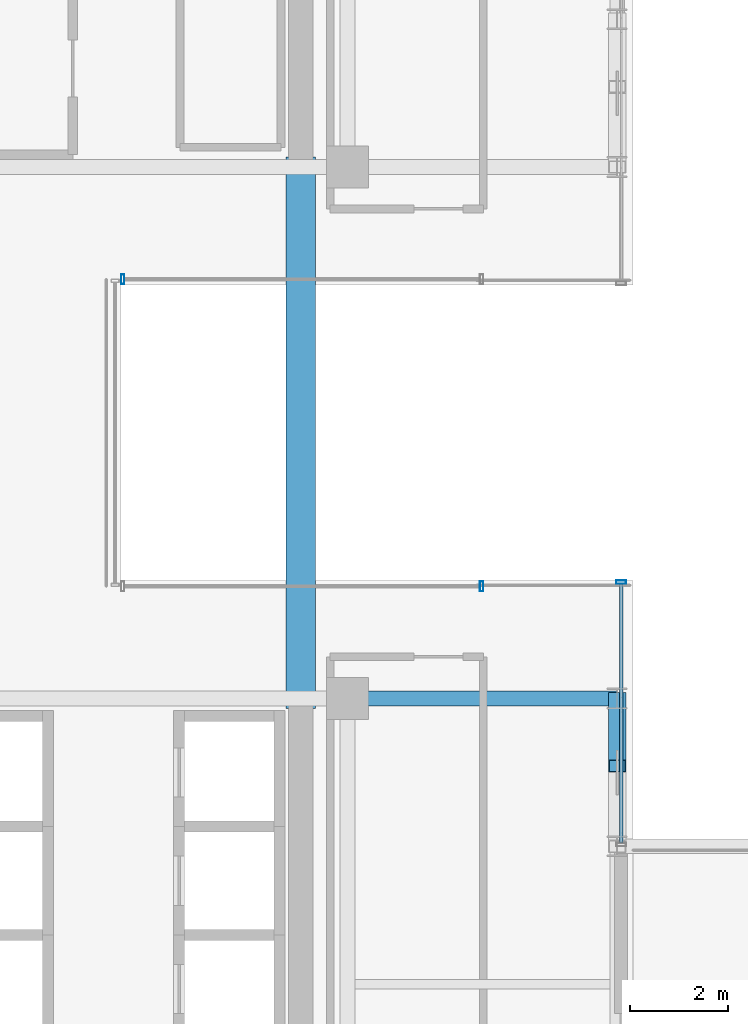
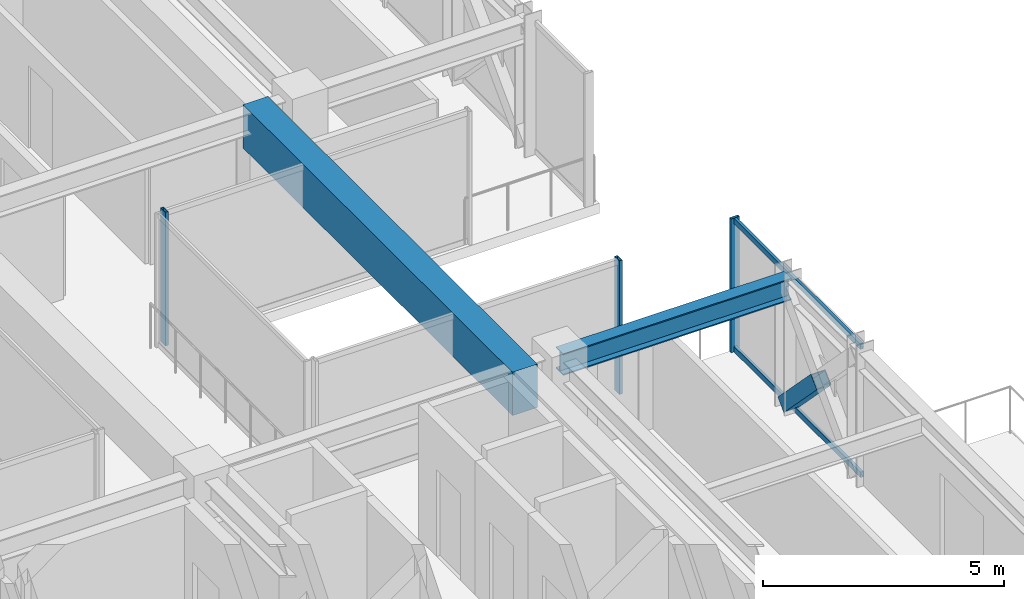
# One storey, part 17 of 41: 6 members, 2 beams, 3 elements without a shape of their own.
"""IFC4 building model written with IfcOpenShell, lengths in metres."""

from ifc_helpers import new_model, si_unit, direction, frame, origin, origin_2d, place, context, subcontext, project, spatial, rectangle, hollow_rectangle, i_section, extrude, source, transform, mapped, material, material_profile, profile_set, type_object, element, aggregate, save


model = new_model("IFC4")

# Units and contexts
model_context = context("Model", 3, precision=1e-05, world=origin(), true_north=direction((0.0, 1.0)))
body_context = subcontext(model_context, "Body", "Model", "MODEL_VIEW")
ifc_project = project(units=[si_unit("LENGTHUNIT", "METRE"), si_unit("AREAUNIT", "SQUARE_METRE"), si_unit("VOLUMEUNIT", "CUBIC_METRE"), si_unit("PLANEANGLEUNIT", "RADIAN"), si_unit("MASSUNIT", "GRAM", prefix="KILO")], contexts=[model_context])

# Site, building, storey
site_placement = place(None, origin())
site = spatial("IfcSite", under=ifc_project, at=site_placement, CompositionType="ELEMENT")
building_placement = place(site_placement, origin())
building = spatial("IfcBuilding", under=site, at=building_placement, Name="Nahalor Promenade Grand Hotel", CompositionType="ELEMENT")
storey_placement = place(building_placement, frame((0.0, 0.0, 159.949951171875)))
storey = spatial("IfcBuildingStorey", under=building, at=storey_placement, Name="L40", CompositionType="ELEMENT", Elevation=159.949951171875)

# Beams
ifc_material_1 = material(Name="Concrete B-60 (C50/60)", Category="concrete")
ifc_material_profile_1 = material_profile(ifc_material_1, rectangle(XDim=0.6, YDim=1.1, at=origin_2d()), Name="RC 600x1100")
ifc_profile_set_1 = profile_set([ifc_material_profile_1], Name="Concrete B-60 (C50/60)")
beam_type_1 = type_object("IfcBeamType", Name="Beam-Lintel-RC1100", PredefinedType="LINTEL", material=ifc_profile_set_1)
shared_shape_1 = source(origin(), body_context, "Body", "SweptSolid", [
    extrude(rectangle(XDim=0.6, YDim=1.1, at=origin_2d()), origin(), (0.0, 0.0, 1.0), 11.2001953125),
])
beam_1_placement = place(storey_placement, frame((16.050048828125, -5.60009765625, 2.840087890625), z_axis=(0.0, 1.0, 0.0), x_axis=(-1.0, 0.0, 0.0)))
element("IfcBeam", 1, at=beam_1_placement, inside=storey, type_object=beam_type_1, Name="BM-L40-LINT-E", PredefinedType="LINTEL", context=body_context, shape_type="MappedRepresentation", body=[
    mapped(shared_shape_1, transform((0.0, 0.0, 0.0), scale=1.0)),
])
ifc_material_2 = material(Name="Steel S355JR", Category="steel")
ifc_material_profile_2 = material_profile(ifc_material_2, i_section(OverallWidth=0.3, OverallDepth=0.55, WebThickness=0.015, FlangeThickness=0.029, at=origin_2d()), Name="HEB 550")
ifc_profile_set_2 = profile_set([ifc_material_profile_2], Name="Steel S355JR")
beam_type_2 = type_object("IfcBeamType", Name="Beam-Girder-HEB550", PredefinedType="BEAM", material=ifc_profile_set_2)
shared_shape_2 = source(origin(), body_context, "Body", "SweptSolid", [
    extrude(i_section(OverallWidth=0.3, OverallDepth=0.55, WebThickness=0.015, FlangeThickness=0.029, at=origin_2d()), origin(), (0.0, 0.0, 1.0), 5.47998046875),
])
beam_2_placement = place(storey_placement, frame((17.0, -5.39990234375, 3.114990234375), z_axis=(1.0, 0.0, 0.0), x_axis=(0.0, 1.0, 0.0)))
element("IfcBeam", 2, at=beam_2_placement, inside=storey, type_object=beam_type_2, Name="BM-L40-GX-1-6", PredefinedType="BEAM", context=body_context, shape_type="MappedRepresentation", body=[
    mapped(shared_shape_2, transform((0.0, 0.0, 0.0), scale=1.0)),
])

# Member
ifc_material_profile_3 = material_profile(ifc_material_2, hollow_rectangle(XDim=0.35, YDim=0.35, WallThickness=0.02, at=origin_2d()), Name="SHS 350x350x20")
ifc_profile_set_3 = profile_set([ifc_material_profile_3], Name="Steel S355JR")
member_type_1 = type_object("IfcMemberType", Name="Mem-VoidBrace-SHS350", PredefinedType="BRACE", material=ifc_profile_set_3)
shared_shape_3 = source(origin(), body_context, "Body", "SweptSolid", [
    extrude(hollow_rectangle(XDim=0.35, YDim=0.35, WallThickness=0.02, at=origin_2d()), origin(), (0.0, 0.0, 1.0), 1.96630859375),
])
member_1_placement = place(storey_placement, frame((22.47998046875, -5.39990234375, 0.150146484375), z_axis=(0.0, -0.696663391113, 0.71739815966), x_axis=(1.0, 0.0, 0.0)))
element("IfcMember", 3, at=member_1_placement, inside=storey, type_object=member_type_1, Name="EXO-L40-VX2-E0A", PredefinedType="BRACE", context=body_context, shape_type="MappedRepresentation", body=[
    mapped(shared_shape_3, transform((0.0, 0.0, 0.0), scale=1.0)),
])

# Curtain wall, members
ifc_material_3 = material(Name="Anodised Bronze Aluminium EN AW-6063 T6", Category="aluminium")
curtain_wall_type = type_object("IfcCurtainWallType", Name="CW3 Elliptical-Void Collar Unitised Curtain Wall", PredefinedType="USERDEFINED", material=ifc_material_3)
curtain_wall_1_placement = place(storey_placement, origin())
curtain_wall_1 = element("IfcCurtainWall", 4, at=curtain_wall_1_placement, inside=storey, type_object=curtain_wall_type, Name="L40 Curtain Wall CW-L40-E-3", ObjectType="UNITISED_CURTAIN_WALL", PredefinedType="USERDEFINED")
ifc_material_profile_4 = material_profile(ifc_material_3, hollow_rectangle(XDim=0.07, YDim=0.14, WallThickness=0.004, at=origin_2d()), Name="CWT 70x140x4")
ifc_profile_set_4 = profile_set([ifc_material_profile_4], Name="Anodised Bronze Aluminium EN AW-6063 T6")
member_type_2 = type_object("IfcMemberType", Name="CWT3 Void Collar Transom 70x140", PredefinedType="USERDEFINED", material=ifc_profile_set_4)
shared_shape_4 = source(origin(), body_context, "Body", "SweptSolid", [
    extrude(hollow_rectangle(XDim=0.07, YDim=0.14, WallThickness=0.004, at=origin_2d()), origin(), (0.0, 0.0, 1.0), 5.260986328125),
])
member_2_placement = place(storey_placement, frame((22.56005859375, -8.330078125, 0.070068359375), z_axis=(0.0, 1.0, 0.0), x_axis=(-1.0, 0.0, 0.0)))
member_2 = element("IfcMember", 5, at=member_2_placement, type_object=member_type_2, Name="CW-L40-E-3 Transom 0-0", ObjectType="TRANSOM", PredefinedType="USERDEFINED", context=body_context, shape_type="MappedRepresentation", body=[
    mapped(shared_shape_4, transform((0.0, 0.0, 0.0), scale=1.0)),
])
member_3_placement = place(storey_placement, frame((22.56005859375, -8.330078125, 3.320068359375), z_axis=(0.0, 1.0, 0.0), x_axis=(-1.0, 0.0, 0.0)))
member_3 = element("IfcMember", 6, at=member_3_placement, type_object=member_type_2, Name="CW-L40-E-3 Transom 0-1", ObjectType="TRANSOM", PredefinedType="USERDEFINED", context=body_context, shape_type="MappedRepresentation", body=[
    mapped(shared_shape_4, transform((0.0, 0.0, 0.0), scale=1.0)),
])
ifc_material_profile_5 = material_profile(ifc_material_3, hollow_rectangle(XDim=0.07, YDim=0.2, WallThickness=0.005, at=origin_2d()), Name="CWM 70x200x5")
ifc_profile_set_5 = profile_set([ifc_material_profile_5], Name="Anodised Bronze Aluminium EN AW-6063 T6")
member_type_3 = type_object("IfcMemberType", Name="CWM3 Void Collar Mullion 70x200", PredefinedType="MULLION", material=ifc_profile_set_5)
shared_shape_5 = source(origin(), body_context, "Body", "SweptSolid", [
    extrude(hollow_rectangle(XDim=0.07, YDim=0.2, WallThickness=0.005, at=origin_2d()), origin(), (0.0, 0.0, 1.0), 3.39013671875),
])
member_4_placement = place(storey_placement, frame((22.56005859375, -3.033935546875, 0.0), z_axis=(0.0, 0.0, 1.0), x_axis=(0.0, 1.0, 0.0)))
member_4 = element("IfcMember", 7, at=member_4_placement, type_object=member_type_3, Name="CW-L40-E-3 Mullion 1", PredefinedType="MULLION", context=body_context, shape_type="MappedRepresentation", body=[
    mapped(shared_shape_5, transform((0.0, 0.0, 0.0), scale=1.0)),
])
aggregate(curtain_wall_1, [member_4, member_2, member_3])

# Curtain wall, member
curtain_wall_2_placement = place(storey_placement, origin())
curtain_wall_2 = element("IfcCurtainWall", 8, at=curtain_wall_2_placement, inside=storey, type_object=curtain_wall_type, Name="L40 Curtain Wall CW-L40-VOID-ES1", ObjectType="UNITISED_CURTAIN_WALL", PredefinedType="USERDEFINED")
member_5_placement = place(storey_placement, frame((19.72509765625, -3.118896484375, 0.0), z_axis=(0.0, 0.0, 1.0), x_axis=(1.0, 0.0, 0.0)))
member_5 = element("IfcMember", 9, at=member_5_placement, type_object=member_type_3, Name="CW-L40-VOID-ES1 Mullion 1", PredefinedType="MULLION", context=body_context, shape_type="MappedRepresentation", body=[
    mapped(shared_shape_5, transform((0.0, 0.0, 0.0), scale=1.0)),
])
aggregate(curtain_wall_2, [member_5])

curtain_wall_3_placement = place(storey_placement, origin())
curtain_wall_3 = element("IfcCurtainWall", 10, at=curtain_wall_3_placement, inside=storey, type_object=curtain_wall_type, Name="L40 Curtain Wall CW-L40-VOID-EN1", ObjectType="UNITISED_CURTAIN_WALL", PredefinedType="USERDEFINED")
member_6_placement = place(storey_placement, frame((12.43505859375, 3.118896484375, 0.0), z_axis=(0.0, 0.0, 1.0), x_axis=(1.0, 0.0, 0.0)))
member_6 = element("IfcMember", 11, at=member_6_placement, type_object=member_type_3, Name="CW-L40-VOID-EN1 Mullion 0", PredefinedType="MULLION", context=body_context, shape_type="MappedRepresentation", body=[
    mapped(shared_shape_5, transform((0.0, 0.0, 0.0), scale=1.0)),
])
aggregate(curtain_wall_3, [member_6])

save(model, "model.ifc")
